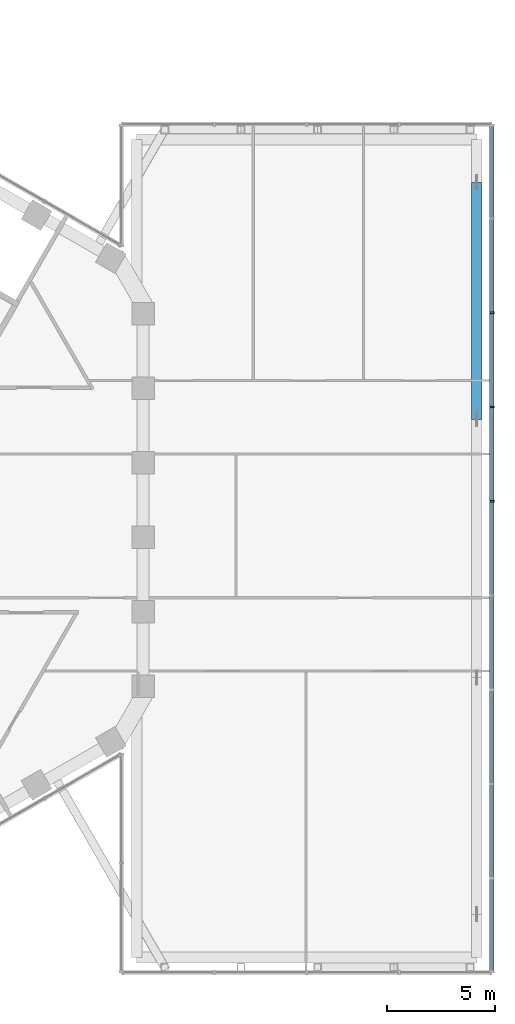
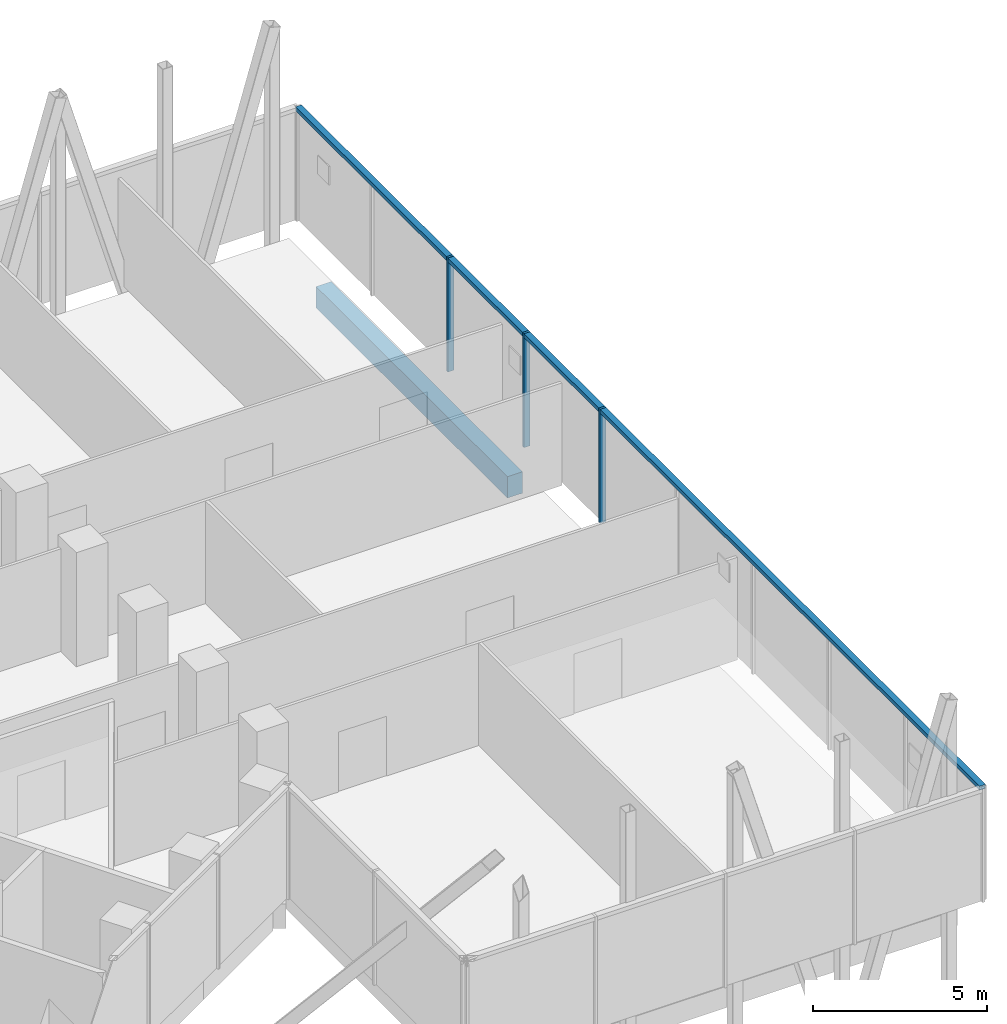
# One storey, part 6 of 24: 4 members, 1 beam, 1 element without a shape of its own.
"""IFC4 building model written with IfcOpenShell, lengths in metres."""

import ifcopenshell
import ifcopenshell.guid

model = None  # the IFC model being written
_history = None  # IfcOwnerHistory: only IFC2X3 demands one
_inside = {}  # id of a spatial element -> (the spatial element, [elements in it])
_under = {}  # id of a project, library or spatial element -> (it, [spatial elements below it])
_declared = {}  # id of a project -> (the project, [libraries it declares])
_typed = {}  # id of a type object -> (the type object, [elements of that type])
_made_of = {}  # id of a material, layer set ... -> (it, [elements and type objects made of it])


def new_model(schema):
    """Start an empty IFC model of exactly this schema.

    Asked for "IFC4X3", IfcOpenShell would pick the latest addendum, in which some entities
    have other attributes; the version numbers below select the first issue.
    IFC2X3 requires an IfcOwnerHistory on every rooted entity: one is made here for all.
    """
    global model, _history
    if schema == "IFC4X3":
        model = ifcopenshell.file(schema_version=(4, 3, 0, 0))
    else:
        model = ifcopenshell.file(schema=schema)
    _inside.clear()
    _under.clear()
    _declared.clear()
    _typed.clear()
    _made_of.clear()
    _history = None
    if model.schema == "IFC2X3":
        org = make("IfcOrganization", Name="unknown")
        user = make(
            "IfcPersonAndOrganization",
            ThePerson=make("IfcPerson", FamilyName="unknown"),
            TheOrganization=org,
        )
        app = make(
            "IfcApplication",
            ApplicationDeveloper=org,
            Version="unknown",
            ApplicationFullName="unknown",
            ApplicationIdentifier="unknown",
        )
        _history = make(
            "IfcOwnerHistory",
            OwningUser=user,
            OwningApplication=app,
            ChangeAction="ADDED",
            CreationDate=0,
        )
    return model


def make(cls, **values):
    """One entity of the class cls with the attributes given. An attribute that is None is left unset."""
    return model.create_entity(
        cls, **{name: value for name, value in values.items() if value is not None}
    )


def rooted(cls, **values):
    """An entity with a GlobalId (a new one), such as an element, a storey or a relation."""
    return make(cls, GlobalId=ifcopenshell.guid.new(), OwnerHistory=_history, **values)


def si_unit(unit_type, name, prefix=None):
    """IfcSIUnit, for example si_unit("LENGTHUNIT", "METRE", prefix="MILLI")."""
    return make("IfcSIUnit", UnitType=unit_type, Prefix=prefix, Name=name)


def assignment(units):
    """IfcUnitAssignment: the units of a project."""
    return None if units is None else make("IfcUnitAssignment", Units=units)


def point(xyz):
    """IfcCartesianPoint."""
    return None if xyz is None else make("IfcCartesianPoint", Coordinates=xyz)


def direction(xyz):
    """IfcDirection."""
    return None if xyz is None else make("IfcDirection", DirectionRatios=xyz)


def frame(location, z_axis=None, x_axis=None):
    """IfcAxis2Placement3D, a coordinate frame: its origin and axes. An axis left out is left unset."""
    return make(
        "IfcAxis2Placement3D",
        Location=point(location),
        Axis=direction(z_axis),
        RefDirection=direction(x_axis),
    )


def frame_2d(location, x_axis=None):
    """IfcAxis2Placement2D, a coordinate frame in the plane: its origin and x axis."""
    return make(
        "IfcAxis2Placement2D", Location=point(location), RefDirection=direction(x_axis)
    )


def origin():
    """The frame at (0, 0, 0) with its axes left unset."""
    return frame((0.0, 0.0, 0.0))


def origin_2d():
    """The frame at (0, 0) in the plane with its x axis left unset."""
    return frame_2d((0.0, 0.0))


def place(relative_to, where):
    """IfcLocalPlacement: puts the frame where relative to a parent placement (None: the world)."""
    return make(
        "IfcLocalPlacement", PlacementRelTo=relative_to, RelativePlacement=where
    )


def context(
    kind, dimensions, precision=None, world=None, true_north=None, identifier=None
):
    """IfcGeometricRepresentationContext, for example the 3D "Model" context."""
    return make(
        "IfcGeometricRepresentationContext",
        ContextIdentifier=identifier,
        ContextType=kind,
        CoordinateSpaceDimension=dimensions,
        Precision=precision,
        WorldCoordinateSystem=world,
        TrueNorth=true_north,
    )


def subcontext(parent, identifier, kind, view, scale=None):
    """IfcGeometricRepresentationSubContext, for example "Body" below "Model"."""
    return make(
        "IfcGeometricRepresentationSubContext",
        ContextIdentifier=identifier,
        ContextType=kind,
        ParentContext=parent,
        TargetScale=scale,
        TargetView=view,
    )


def project(units=None, contexts=None):
    """IfcProject with its units and contexts."""
    return rooted(
        "IfcProject",
        Name="project",
        RepresentationContexts=contexts,
        UnitsInContext=assignment(units),
    )


def spatial(cls, under=None, at=None, **own):
    """A site, building, storey or space (cls), placed at a placement, below another one or the project."""
    s = rooted(cls, ObjectPlacement=at, **own)
    if under is not None:
        _under.setdefault(under.id(), (under, []))[1].append(s)
    return s


def profile(cls, at=None, kind="AREA", **sizes):
    """A parametric profile (cls). Its sizes go by their IFC names, for example OverallWidth=200.0."""
    return make(cls, ProfileType=kind, Position=at, **sizes)


def rectangle(**sizes):
    """IfcRectangleProfileDef."""
    return profile("IfcRectangleProfileDef", **sizes)


def extrude(swept, where, along, depth):
    """IfcExtrudedAreaSolid: the profile swept, set in the frame where, extruded along a direction by depth."""
    return make(
        "IfcExtrudedAreaSolid",
        SweptArea=swept,
        Position=where,
        ExtrudedDirection=direction(along),
        Depth=depth,
    )


def shape(context_of_items, identifier, shape_type, items):
    """IfcShapeRepresentation: the items that make up one representation, for example the "Body"."""
    return make(
        "IfcShapeRepresentation",
        ContextOfItems=context_of_items,
        RepresentationIdentifier=identifier,
        RepresentationType=shape_type,
        Items=items,
    )


def material(Name=None, Category=None):
    """IfcMaterial."""
    return make("IfcMaterial", Name=Name, Category=Category)


def layer(
    of_material, thickness, ventilated=None, Name=None, Category=None, Priority=None
):
    """IfcMaterialLayer: one layer of a wall or slab, of a material (None: an air gap)."""
    return make(
        "IfcMaterialLayer",
        Material=of_material,
        LayerThickness=thickness,
        IsVentilated=ventilated,
        Name=Name,
        Category=Category,
        Priority=Priority,
    )


def layer_set(layers, Name=None):
    """IfcMaterialLayerSet."""
    return make("IfcMaterialLayerSet", MaterialLayers=layers, LayerSetName=Name)


def material_profile(
    of_material, cross_section, Name=None, Category=None, Priority=None
):
    """IfcMaterialProfile: a cross section and its material."""
    return make(
        "IfcMaterialProfile",
        Name=Name,
        Material=of_material,
        Profile=cross_section,
        Priority=Priority,
        Category=Category,
    )


def profile_set(profiles, Name=None, composite=None):
    """IfcMaterialProfileSet."""
    return make(
        "IfcMaterialProfileSet",
        Name=Name,
        MaterialProfiles=profiles,
        CompositeProfile=composite,
    )


def made_of(thing, what):
    """Note that an element or type object is made of a material, layer set ...; save() writes the relation."""
    if what is not None:
        _made_of.setdefault(what.id(), (what, []))[1].append(thing)
    return thing


def type_object(cls, material=None, **own):
    """A type object (cls), such as IfcWallType, which elements share."""
    return made_of(rooted(cls, **own), material)


def element(
    cls,
    number,
    at=None,
    inside=None,
    cuts=None,
    type_object=None,
    material=None,
    context=None,
    identifier="Body",
    shape_type=None,
    held_by="IfcProductDefinitionShape",
    body=None,
    shapes=None,
    **own,
):
    """One element of the class cls, such as IfcWall. Its Tag is "e" and its number.

    at: its placement. inside: the storey or other place that contains it. cuts: it is an
    opening in that element (IfcRelVoidsElement). A single representation is given by context,
    identifier, shape_type and body (its items); several are given by shapes. held_by: the class
    of the entity that holds the representations. save() writes the other relations.
    """
    e = rooted(cls, Tag="e%d" % number, ObjectPlacement=at, **own)
    if body is not None:
        shapes = [shape(context, identifier, shape_type, body)]
    if shapes is not None:
        e.Representation = make(held_by, Representations=shapes)
    if inside is not None:
        _inside.setdefault(inside.id(), (inside, []))[1].append(e)
    if cuts is not None:
        rooted(
            "IfcRelVoidsElement", RelatingBuildingElement=cuts, RelatedOpeningElement=e
        )
    if type_object is not None:
        _typed.setdefault(type_object.id(), (type_object, []))[1].append(e)
    return made_of(e, material)


def aggregate(whole, parts):
    """IfcRelAggregates: a whole, such as a stair, and the parts it consists of."""
    return rooted("IfcRelAggregates", RelatingObject=whole, RelatedObjects=parts)


def save(model, path):
    """Write the relations noted so far, then the file.

    IfcRelAggregates (storeys below a building ...), IfcRelContainedInSpatialStructure (elements
    in a storey), IfcRelDefinesByType, IfcRelAssociatesMaterial and IfcRelDeclares: one each for
    every whole, place, type object, material and project.
    """
    for whole, parts in _under.values():
        aggregate(whole, parts)
    for where, things in _inside.values():
        rooted(
            "IfcRelContainedInSpatialStructure",
            RelatedElements=things,
            RelatingStructure=where,
        )
    for kind, things in _typed.values():
        rooted("IfcRelDefinesByType", RelatedObjects=things, RelatingType=kind)
    for what, things in _made_of.values():
        rooted("IfcRelAssociatesMaterial", RelatedObjects=things, RelatingMaterial=what)
    for by, libraries in _declared.values():
        rooted("IfcRelDeclares", RelatingContext=by, RelatedDefinitions=libraries)
    model.write(path)


model = new_model("IFC4")

# Units and contexts
model_context = context("Model", 3, precision=1e-05, world=origin(), true_north=direction((0.0, 1.0)))
body_context = subcontext(model_context, "Body", "Model", "MODEL_VIEW")
ifc_project = project(units=[si_unit("LENGTHUNIT", "METRE"), si_unit("AREAUNIT", "SQUARE_METRE"), si_unit("VOLUMEUNIT", "CUBIC_METRE"), si_unit("PLANEANGLEUNIT", "RADIAN"), si_unit("MASSUNIT", "GRAM", prefix="KILO")], contexts=[model_context])

# Site, building, storey
site_placement = place(None, origin())
site = spatial("IfcSite", under=ifc_project, at=site_placement, CompositionType="ELEMENT")
building_placement = place(site_placement, origin())
building = spatial("IfcBuilding", under=site, at=building_placement, Name="Ayvan Gate Tower", CompositionType="ELEMENT")
storey_placement = place(building_placement, frame((0.0, 0.0, 124.5)))
storey = spatial("IfcBuildingStorey", under=building, at=storey_placement, Name="L33", CompositionType="ELEMENT", Elevation=124.5)

# Beam
ifc_material_1 = material(Name="Concrete C40/50", Category="concrete")
ifc_material_profile_1 = material_profile(ifc_material_1, rectangle(XDim=0.5, YDim=0.75, at=origin_2d()), Name="RC 500x750")
ifc_profile_set_1 = profile_set([ifc_material_profile_1], Name="Concrete C40/50")
beam_type = type_object("IfcBeamType", Name="Sky bar edge beam RC 500x750 C40/50", PredefinedType="BEAM", material=ifc_profile_set_1)
beam_placement = place(storey_placement, frame((34.985595703125, 14.75, -0.77490234375), z_axis=(0.0, -1.0, 0.0), x_axis=(1.0, 0.0, 0.0)))
element("IfcBeam", 1, at=beam_placement, inside=storey, type_object=beam_type, Name="EB-B2-L33-4", PredefinedType="BEAM", context=body_context, shape_type="SweptSolid", body=[
    extrude(rectangle(XDim=0.5, YDim=0.75, at=origin_2d()), origin(), (0.0, 0.0, 1.0), 11.0),
])

# Curtain wall, members
ifc_material_2 = material(Name="Bronze anodised aluminium", Category="aluminium")
ifc_layer = layer(ifc_material_2, 0.199951171875)
ifc_layer_set = layer_set([ifc_layer], Name="Bronze anodised aluminium")
curtain_wall_type = type_object("IfcCurtainWallType", Name="Stick curtain wall CW-4", PredefinedType="NOTDEFINED", material=ifc_layer_set)
curtain_wall_placement = place(storey_placement, origin())
curtain_wall = element("IfcCurtainWall", 2, at=curtain_wall_placement, inside=storey, type_object=curtain_wall_type, Name="Stick curtain wall CW-4 L33", PredefinedType="NOTDEFINED")
ifc_material_profile_2 = material_profile(ifc_material_2, rectangle(XDim=0.199951171875, YDim=0.080078125, at=origin_2d()), Name="Stick curtain wall CW-4 mullion 200 x 80")
ifc_profile_set_2 = profile_set([ifc_material_profile_2], Name="Bronze anodised aluminium")
member_type_1 = type_object("IfcMemberType", Name="Stick curtain wall CW-4 mullion 200 x 80", PredefinedType="MULLION", material=ifc_profile_set_2)
member_1_placement = place(storey_placement, frame((35.685546875, -0.06103515625, 0.0), z_axis=(0.0, 0.0, 1.0), x_axis=(1.0, 0.0, 0.0)))
member_1 = element("IfcMember", 3, at=member_1_placement, type_object=member_type_1, Name="CW-4 mullion 6", PredefinedType="MULLION", context=body_context, shape_type="SweptSolid", body=[
    extrude(rectangle(XDim=0.199951171875, YDim=0.080078125, at=origin_2d()), origin(), (0.0, 0.0, 1.0), 4.0),
])
member_2_placement = place(storey_placement, frame((35.685546875, 4.316650390625, 0.0), z_axis=(0.0, 0.0, 1.0), x_axis=(1.0, 0.0, 0.0)))
member_2 = element("IfcMember", 4, at=member_2_placement, type_object=member_type_1, Name="CW-4 mullion 7", PredefinedType="MULLION", context=body_context, shape_type="SweptSolid", body=[
    extrude(rectangle(XDim=0.199951171875, YDim=0.080078125, at=origin_2d()), origin(), (0.0, 0.0, 1.0), 4.0),
])
member_3_placement = place(storey_placement, frame((35.685546875, 8.6943359375, 0.0), z_axis=(0.0, 0.0, 1.0), x_axis=(1.0, 0.0, 0.0)))
member_3 = element("IfcMember", 5, at=member_3_placement, type_object=member_type_1, Name="CW-4 mullion 8", PredefinedType="MULLION", context=body_context, shape_type="SweptSolid", body=[
    extrude(rectangle(XDim=0.199951171875, YDim=0.080078125, at=origin_2d()), origin(), (0.0, 0.0, 1.0), 4.0),
])
ifc_material_profile_3 = material_profile(ifc_material_2, rectangle(XDim=0.199951171875, YDim=0.139892578125, at=origin_2d()), Name="Stick curtain wall CW-4 transom 200 x 140")
ifc_profile_set_3 = profile_set([ifc_material_profile_3], Name="Bronze anodised aluminium")
member_type_2 = type_object("IfcMemberType", Name="Stick curtain wall CW-4 transom 200 x 140", PredefinedType="USERDEFINED", material=ifc_profile_set_3)
member_4_placement = place(storey_placement, frame((35.685546875, -21.909912109375, 3.929931640625), z_axis=(0.0, 1.0, 0.0), x_axis=(-1.0, 0.0, 0.0)))
member_4 = element("IfcMember", 6, at=member_4_placement, type_object=member_type_2, Name="CW-4 transom 1", ObjectType="TRANSOM", PredefinedType="USERDEFINED", context=body_context, shape_type="SweptSolid", body=[
    extrude(rectangle(XDim=0.199951171875, YDim=0.139892578125, at=origin_2d()), origin(), (0.0, 0.0, 1.0), 39.31982421875),
])
aggregate(curtain_wall, [member_1, member_2, member_3, member_4])

save(model, "model.ifc")
